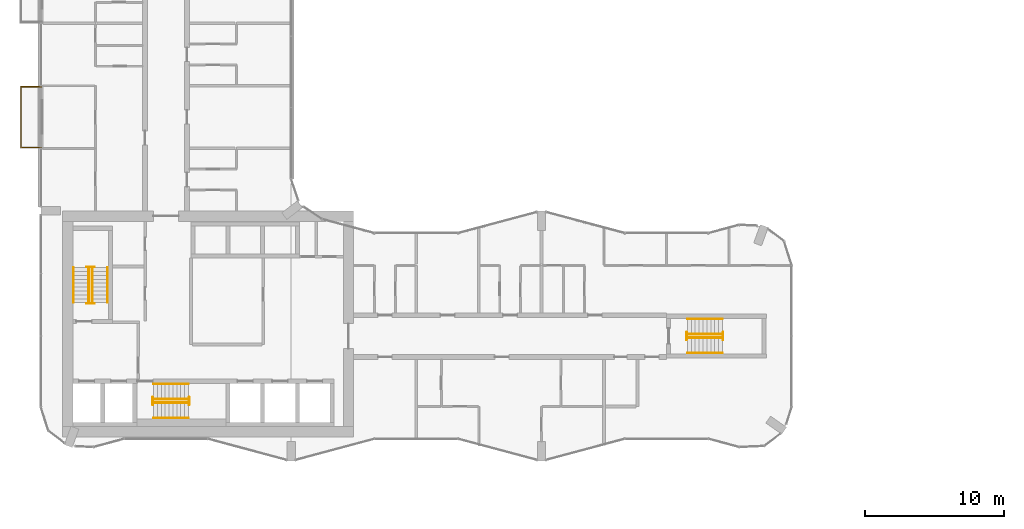
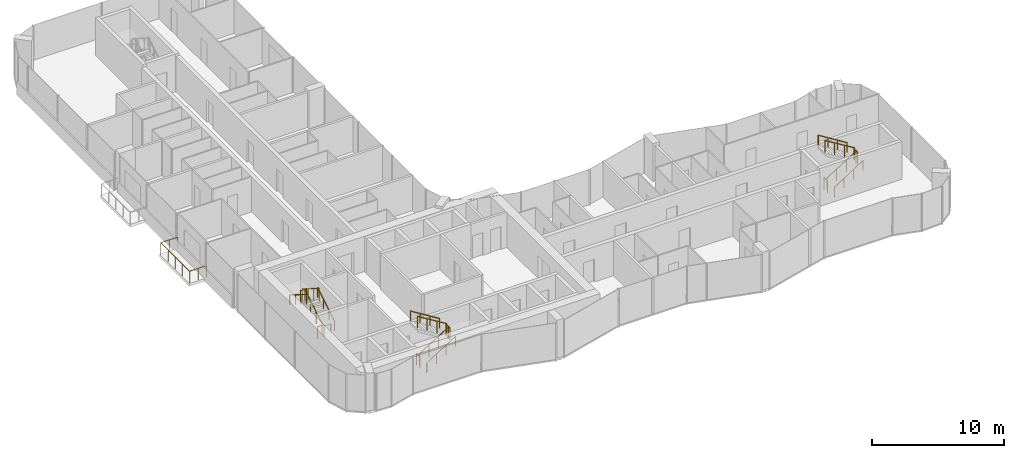
# One storey, part 22 of 24: 19 railings.
"""IFC4 building model written with IfcOpenShell, lengths in metres."""

from ifc_helpers import new_model, si_unit, direction, frame, origin, origin_2d, place, context, subcontext, project, spatial, circle, extrude, material, type_object, element, save


model = new_model("IFC4")

# Units and contexts
model_context = context("Model", 3, precision=1e-05, world=origin(), true_north=direction((0.0, 1.0)))
body_context = subcontext(model_context, "Body", "Model", "MODEL_VIEW")
ifc_project = project(units=[si_unit("LENGTHUNIT", "METRE"), si_unit("AREAUNIT", "SQUARE_METRE"), si_unit("VOLUMEUNIT", "CUBIC_METRE"), si_unit("PLANEANGLEUNIT", "RADIAN"), si_unit("MASSUNIT", "GRAM", prefix="KILO")], contexts=[model_context])

# Site, building, storey
site_placement = place(None, origin())
site = spatial("IfcSite", under=ifc_project, at=site_placement, CompositionType="ELEMENT")
building_placement = place(site_placement, origin())
building = spatial("IfcBuilding", under=site, at=building_placement, Name="Plateau Cross Towers", CompositionType="ELEMENT")
storey_placement = place(building_placement, frame((0.0, 0.0, 47.800048828125)))
storey = spatial("IfcBuildingStorey", under=building, at=storey_placement, Name="L11", CompositionType="ELEMENT", Elevation=47.800048828125)

# Railings
ifc_material_1 = material(Name="Stainless steel and toughened glass", Category="steel")
railing_type_1 = type_object("IfcRailingType", Name="Glass balustrade guard 1100", PredefinedType="GUARDRAIL", material=ifc_material_1)
railing_1_placement = place(storey_placement, frame((0.050048828125, 22.570068359375, 0.0)))
element("IfcRailing", 1, at=railing_1_placement, inside=storey, type_object=railing_type_1, Name="Guard guard1", PredefinedType="GUARDRAIL", context=body_context, shape_type="SweptSolid", body=[
    extrude(circle(Radius=0.02392578125, at=origin_2d()), frame((0.0, 0.0, 1.076171875), z_axis=(-1.0, 0.0, 0.0), x_axis=(0.0, -1.0, 0.0)), (0.0, 0.0, 1.0), 1.47998046875),
    extrude(circle(Radius=0.02392578125, at=origin_2d()), frame((-1.47998046875, 0.0, 1.076171875), z_axis=(0.0, 1.0, 0.0), x_axis=(-1.0, 0.0, 0.0)), (0.0, 0.0, 1.0), 4.35986328125),
    extrude(circle(Radius=0.02392578125, at=origin_2d()), frame((-1.47998046875, 4.35986328125, 1.076171875), z_axis=(1.0, 0.0, 0.0), x_axis=(0.0, 1.0, 0.0)), (0.0, 0.0, 1.0), 1.47998046875),
    extrude(circle(Radius=0.02099609375, at=origin_2d()), origin(), (0.0, 0.0, 1.0), 1.052001953125),
    extrude(circle(Radius=0.02099609375, at=origin_2d()), frame((-0.739990234375, 0.0, 0.0)), (0.0, 0.0, 1.0), 1.052001953125),
    extrude(circle(Radius=0.02099609375, at=origin_2d()), frame((-1.47998046875, 0.0, 0.0)), (0.0, 0.0, 1.0), 1.052001953125),
    extrude(circle(Radius=0.02099609375, at=origin_2d()), frame((-1.47998046875, 1.08984375, 0.0)), (0.0, 0.0, 1.0), 1.052001953125),
    extrude(circle(Radius=0.02099609375, at=origin_2d()), frame((-1.47998046875, 2.179931640625, 0.0)), (0.0, 0.0, 1.0), 1.052001953125),
    extrude(circle(Radius=0.02099609375, at=origin_2d()), frame((-1.47998046875, 3.27001953125, 0.0)), (0.0, 0.0, 1.0), 1.052001953125),
    extrude(circle(Radius=0.02099609375, at=origin_2d()), frame((-1.47998046875, 4.35986328125, 0.0)), (0.0, 0.0, 1.0), 1.052001953125),
    extrude(circle(Radius=0.02099609375, at=origin_2d()), frame((-0.739990234375, 4.35986328125, 0.0)), (0.0, 0.0, 1.0), 1.052001953125),
    extrude(circle(Radius=0.02099609375, at=origin_2d()), frame((0.0, 4.35986328125, 0.0)), (0.0, 0.0, 1.0), 1.052001953125),
])
railing_type_2 = type_object("IfcRailingType", Name="RL-GUARD-1100", PredefinedType="GUARDRAIL", material=ifc_material_1)
railing_2_placement = place(storey_placement, frame((3.699951171875, 11.39990234375, 0.175048828125)))
element("IfcRailing", 2, at=railing_2_placement, inside=storey, type_object=railing_type_2, Name="L11 ST-1 stair guard 1", PredefinedType="GUARDRAIL", context=body_context, shape_type="SweptSolid", body=[
    extrude(circle(Radius=0.02392578125, at=origin_2d()), frame((0.0, 0.0, 1.076171875), z_axis=(0.0, 0.848007534815, 0.529984170421), x_axis=(-1.0, 0.0, 0.0)), (0.0, 0.0, 1.0), 2.9716796875),
    extrude(circle(Radius=0.02099609375, at=origin_2d()), origin(), (0.0, 0.0, 1.0), 1.052001953125),
    extrude(circle(Radius=0.02099609375, at=origin_2d()), frame((0.0, 0.840087890625, 0.52490234375)), (0.0, 0.0, 1.0), 1.052001953125),
    extrude(circle(Radius=0.02099609375, at=origin_2d()), frame((0.0, 1.679931640625, 1.050048828125)), (0.0, 0.0, 1.0), 1.052001953125),
    extrude(circle(Radius=0.02099609375, at=origin_2d()), frame((0.0, 2.52001953125, 1.574951171875)), (0.0, 0.0, 1.0), 1.052001953125),
])
railing_3_placement = place(storey_placement, frame((3.85009765625, 13.969970703125, 1.75)))
element("IfcRailing", 3, at=railing_3_placement, inside=storey, type_object=railing_type_2, Name="L11 ST-1 stair guard 2", PredefinedType="GUARDRAIL", context=body_context, shape_type="SweptSolid", body=[
    extrude(circle(Radius=0.02392578125, at=origin_2d()), frame((0.0, 0.0, 1.076171875), z_axis=(-1.0, 0.0, 0.0), x_axis=(0.0, -1.0, 0.0)), (0.0, 0.0, 1.0), 0.550048828125),
    extrude(circle(Radius=0.02099609375, at=origin_2d()), origin(), (0.0, 0.0, 1.0), 1.052001953125),
    extrude(circle(Radius=0.02099609375, at=origin_2d()), frame((-0.550048828125, 0.0, 0.0)), (0.0, 0.0, 1.0), 1.052001953125),
])
railing_4_placement = place(storey_placement, frame((3.449951171875, 13.919921875, 1.925048828125)))
element("IfcRailing", 4, at=railing_4_placement, inside=storey, type_object=railing_type_2, Name="L11 ST-1 stair guard 3", PredefinedType="GUARDRAIL", context=body_context, shape_type="SweptSolid", body=[
    extrude(circle(Radius=0.02392578125, at=origin_2d()), frame((0.0, 0.0, 1.076171875), z_axis=(0.0, -0.852616386126, 0.522537365276), x_axis=(1.0, 0.0, 0.0)), (0.0, 0.0, 1.0), 3.01416015625),
    extrude(circle(Radius=0.02099609375, at=origin_2d()), origin(), (0.0, 0.0, 1.0), 1.052001953125),
    extrude(circle(Radius=0.02099609375, at=origin_2d()), frame((0.0, -0.856689453125, 0.52490234375)), (0.0, 0.0, 1.0), 1.052001953125),
    extrude(circle(Radius=0.02099609375, at=origin_2d()), frame((0.0, -1.713134765625, 1.050048828125)), (0.0, 0.0, 1.0), 1.052001953125),
    extrude(circle(Radius=0.02099609375, at=origin_2d()), frame((0.0, -2.56982421875, 1.574951171875)), (0.0, 0.0, 1.0), 1.052001953125),
])
railing_5_placement = place(storey_placement, frame((3.85009765625, 11.35009765625, 0.0)))
element("IfcRailing", 5, at=railing_5_placement, inside=storey, type_object=railing_type_2, Name="L11 ST-1 stair guard 4", PredefinedType="GUARDRAIL", context=body_context, shape_type="SweptSolid", body=[
    extrude(circle(Radius=0.02392578125, at=origin_2d()), frame((0.0, 0.0, 1.076171875), z_axis=(-1.0, 0.0, 0.0), x_axis=(0.0, -1.0, 0.0)), (0.0, 0.0, 1.0), 0.550048828125),
    extrude(circle(Radius=0.02099609375, at=origin_2d()), origin(), (0.0, 0.0, 1.0), 1.052001953125),
    extrude(circle(Radius=0.02099609375, at=origin_2d()), frame((-0.550048828125, 0.0, 0.0)), (0.0, 0.0, 1.0), 1.052001953125),
])
railing_6_placement = place(storey_placement, frame((8.10009765625, 4.199951171875, 0.175048828125)))
element("IfcRailing", 6, at=railing_6_placement, inside=storey, type_object=railing_type_2, Name="L11 ST-2 stair guard 1", PredefinedType="GUARDRAIL", context=body_context, shape_type="SweptSolid", body=[
    extrude(circle(Radius=0.02392578125, at=origin_2d()), frame((0.0, 0.0, 1.076171875), z_axis=(0.848007534815, 0.0, 0.529984170421), x_axis=(0.0, 1.0, 0.0)), (0.0, 0.0, 1.0), 2.9716796875),
    extrude(circle(Radius=0.02099609375, at=origin_2d()), origin(), (0.0, 0.0, 1.0), 1.052001953125),
    extrude(circle(Radius=0.02099609375, at=origin_2d()), frame((0.840087890625, 0.0, 0.52490234375)), (0.0, 0.0, 1.0), 1.052001953125),
    extrude(circle(Radius=0.02099609375, at=origin_2d()), frame((1.679931640625, 0.0, 1.050048828125)), (0.0, 0.0, 1.0), 1.052001953125),
    extrude(circle(Radius=0.02099609375, at=origin_2d()), frame((2.52001953125, 0.0, 1.574951171875)), (0.0, 0.0, 1.0), 1.052001953125),
])
railing_7_placement = place(storey_placement, frame((10.669921875, 4.050048828125, 1.75)))
element("IfcRailing", 7, at=railing_7_placement, inside=storey, type_object=railing_type_2, Name="L11 ST-2 stair guard 2", PredefinedType="GUARDRAIL", context=body_context, shape_type="SweptSolid", body=[
    extrude(circle(Radius=0.02392578125, at=origin_2d()), frame((0.0, 0.0, 1.076171875), z_axis=(0.0, 1.0, 0.0), x_axis=(-1.0, 0.0, 0.0)), (0.0, 0.0, 1.0), 0.550048828125),
    extrude(circle(Radius=0.02099609375, at=origin_2d()), origin(), (0.0, 0.0, 1.0), 1.052001953125),
    extrude(circle(Radius=0.02099609375, at=origin_2d()), frame((0.0, 0.550048828125, 0.0)), (0.0, 0.0, 1.0), 1.052001953125),
])
railing_8_placement = place(storey_placement, frame((10.6201171875, 4.449951171875, 1.925048828125)))
element("IfcRailing", 8, at=railing_8_placement, inside=storey, type_object=railing_type_2, Name="L11 ST-2 stair guard 3", PredefinedType="GUARDRAIL", context=body_context, shape_type="SweptSolid", body=[
    extrude(circle(Radius=0.02392578125, at=origin_2d()), frame((0.0, 0.0, 1.076171875), z_axis=(-0.852638500773, 0.0, 0.522501279423), x_axis=(0.0, -1.0, 0.0)), (0.0, 0.0, 1.0), 3.01416015625),
    extrude(circle(Radius=0.02099609375, at=origin_2d()), origin(), (0.0, 0.0, 1.0), 1.052001953125),
    extrude(circle(Radius=0.02099609375, at=origin_2d()), frame((-0.856689453125, 0.0, 0.52490234375)), (0.0, 0.0, 1.0), 1.052001953125),
    extrude(circle(Radius=0.02099609375, at=origin_2d()), frame((-1.71337890625, 0.0, 1.050048828125)), (0.0, 0.0, 1.0), 1.052001953125),
    extrude(circle(Radius=0.02099609375, at=origin_2d()), frame((-2.570068359375, 0.0, 1.574951171875)), (0.0, 0.0, 1.0), 1.052001953125),
])
railing_9_placement = place(storey_placement, frame((8.050048828125, 4.050048828125, 0.0)))
element("IfcRailing", 9, at=railing_9_placement, inside=storey, type_object=railing_type_2, Name="L11 ST-2 stair guard 4", PredefinedType="GUARDRAIL", context=body_context, shape_type="SweptSolid", body=[
    extrude(circle(Radius=0.02392578125, at=origin_2d()), frame((0.0, 0.0, 1.076171875), z_axis=(0.0, 1.0, 0.0), x_axis=(-1.0, 0.0, 0.0)), (0.0, 0.0, 1.0), 0.550048828125),
    extrude(circle(Radius=0.02099609375, at=origin_2d()), origin(), (0.0, 0.0, 1.0), 1.052001953125),
    extrude(circle(Radius=0.02099609375, at=origin_2d()), frame((0.0, 0.550048828125, 0.0)), (0.0, 0.0, 1.0), 1.052001953125),
])
railing_10_placement = place(storey_placement, frame((46.5, 8.875, 0.175048828125)))
element("IfcRailing", 10, at=railing_10_placement, inside=storey, type_object=railing_type_2, Name="L11 ES-E stair guard 1", PredefinedType="GUARDRAIL", context=body_context, shape_type="SweptSolid", body=[
    extrude(circle(Radius=0.02392578125, at=origin_2d()), frame((0.0, 0.0, 1.076171875), z_axis=(0.848007534815, 0.0, 0.529984170421), x_axis=(0.0, 1.0, 0.0)), (0.0, 0.0, 1.0), 2.9716796875),
    extrude(circle(Radius=0.02099609375, at=origin_2d()), origin(), (0.0, 0.0, 1.0), 1.052001953125),
    extrude(circle(Radius=0.02099609375, at=origin_2d()), frame((0.840087890625, 0.0, 0.52490234375)), (0.0, 0.0, 1.0), 1.052001953125),
    extrude(circle(Radius=0.02099609375, at=origin_2d()), frame((1.679931640625, 0.0, 1.050048828125)), (0.0, 0.0, 1.0), 1.052001953125),
    extrude(circle(Radius=0.02099609375, at=origin_2d()), frame((2.52001953125, 0.0, 1.574951171875)), (0.0, 0.0, 1.0), 1.052001953125),
])
railing_11_placement = place(storey_placement, frame((49.070068359375, 8.72509765625, 1.75)))
element("IfcRailing", 11, at=railing_11_placement, inside=storey, type_object=railing_type_2, Name="L11 ES-E stair guard 2", PredefinedType="GUARDRAIL", context=body_context, shape_type="SweptSolid", body=[
    extrude(circle(Radius=0.02392578125, at=origin_2d()), frame((0.0, 0.0, 1.076171875), z_axis=(0.0, 1.0, 0.0), x_axis=(-1.0, 0.0, 0.0)), (0.0, 0.0, 1.0), 0.5498046875),
    extrude(circle(Radius=0.02099609375, at=origin_2d()), origin(), (0.0, 0.0, 1.0), 1.052001953125),
    extrude(circle(Radius=0.02099609375, at=origin_2d()), frame((0.0, 0.5498046875, 0.0)), (0.0, 0.0, 1.0), 1.052001953125),
])
railing_12_placement = place(storey_placement, frame((49.02001953125, 9.125, 1.925048828125)))
element("IfcRailing", 12, at=railing_12_placement, inside=storey, type_object=railing_type_2, Name="L11 ES-E stair guard 3", PredefinedType="GUARDRAIL", context=body_context, shape_type="SweptSolid", body=[
    extrude(circle(Radius=0.02392578125, at=origin_2d()), frame((0.0, 0.0, 1.076171875), z_axis=(-0.852638500773, 0.0, 0.522501279423), x_axis=(0.0, -1.0, 0.0)), (0.0, 0.0, 1.0), 3.01416015625),
    extrude(circle(Radius=0.02099609375, at=origin_2d()), origin(), (0.0, 0.0, 1.0), 1.052001953125),
    extrude(circle(Radius=0.02099609375, at=origin_2d()), frame((-0.856689453125, 0.0, 0.52490234375)), (0.0, 0.0, 1.0), 1.052001953125),
    extrude(circle(Radius=0.02099609375, at=origin_2d()), frame((-1.71337890625, 0.0, 1.050048828125)), (0.0, 0.0, 1.0), 1.052001953125),
    extrude(circle(Radius=0.02099609375, at=origin_2d()), frame((-2.570068359375, 0.0, 1.574951171875)), (0.0, 0.0, 1.0), 1.052001953125),
])
railing_13_placement = place(storey_placement, frame((46.449951171875, 8.72509765625, 0.0)))
element("IfcRailing", 13, at=railing_13_placement, inside=storey, type_object=railing_type_2, Name="L11 ES-E stair guard 4", PredefinedType="GUARDRAIL", context=body_context, shape_type="SweptSolid", body=[
    extrude(circle(Radius=0.02392578125, at=origin_2d()), frame((0.0, 0.0, 1.076171875), z_axis=(0.0, 1.0, 0.0), x_axis=(-1.0, 0.0, 0.0)), (0.0, 0.0, 1.0), 0.5498046875),
    extrude(circle(Radius=0.02099609375, at=origin_2d()), origin(), (0.0, 0.0, 1.0), 1.052001953125),
    extrude(circle(Radius=0.02099609375, at=origin_2d()), frame((0.0, 0.5498046875, 0.0)), (0.0, 0.0, 1.0), 1.052001953125),
])
ifc_material_2 = material(Name="Black anodised aluminium", Category="aluminium")
railing_type_3 = type_object("IfcRailingType", Name="RL-HANDRAIL-900", PredefinedType="HANDRAIL", material=ifc_material_2)
railing_14_placement = place(storey_placement, frame((4.800048828125, 11.39990234375, 0.175048828125)))
element("IfcRailing", 14, at=railing_14_placement, inside=storey, type_object=railing_type_3, Name="L11 ST-1 stair handrail 1", PredefinedType="HANDRAIL", context=body_context, shape_type="SweptSolid", body=[
    extrude(circle(Radius=0.02392578125, at=origin_2d()), frame((0.0, 0.0, 0.8759765625), z_axis=(0.0, 0.848007534815, 0.529984170421), x_axis=(-1.0, 0.0, 0.0)), (0.0, 0.0, 1.0), 2.9716796875),
    extrude(circle(Radius=0.02099609375, at=origin_2d()), origin(), (0.0, 0.0, 1.0), 0.851806640625),
    extrude(circle(Radius=0.02099609375, at=origin_2d()), frame((0.0, 0.840087890625, 0.52490234375)), (0.0, 0.0, 1.0), 0.851806640625),
    extrude(circle(Radius=0.02099609375, at=origin_2d()), frame((0.0, 1.679931640625, 1.050048828125)), (0.0, 0.0, 1.0), 0.851806640625),
    extrude(circle(Radius=0.02099609375, at=origin_2d()), frame((0.0, 2.52001953125, 1.574951171875)), (0.0, 0.0, 1.0), 0.851806640625),
])
railing_15_placement = place(storey_placement, frame((2.35009765625, 13.919921875, 1.925048828125)))
element("IfcRailing", 15, at=railing_15_placement, inside=storey, type_object=railing_type_3, Name="L11 ST-1 stair handrail 2", PredefinedType="HANDRAIL", context=body_context, shape_type="SweptSolid", body=[
    extrude(circle(Radius=0.02392578125, at=origin_2d()), frame((0.0, 0.0, 0.8759765625), z_axis=(0.0, -0.848007534815, 0.529984170421), x_axis=(1.0, 0.0, 0.0)), (0.0, 0.0, 1.0), 2.9716796875),
    extrude(circle(Radius=0.02099609375, at=origin_2d()), origin(), (0.0, 0.0, 1.0), 0.851806640625),
    extrude(circle(Radius=0.02099609375, at=origin_2d()), frame((0.0, -0.840087890625, 0.52490234375)), (0.0, 0.0, 1.0), 0.851806640625),
    extrude(circle(Radius=0.02099609375, at=origin_2d()), frame((0.0, -1.679931640625, 1.050048828125)), (0.0, 0.0, 1.0), 0.851806640625),
    extrude(circle(Radius=0.02099609375, at=origin_2d()), frame((0.0, -2.52001953125, 1.574951171875)), (0.0, 0.0, 1.0), 0.851806640625),
])
railing_16_placement = place(storey_placement, frame((8.10009765625, 3.10009765625, 0.175048828125)))
element("IfcRailing", 16, at=railing_16_placement, inside=storey, type_object=railing_type_3, Name="L11 ST-2 stair handrail 1", PredefinedType="HANDRAIL", context=body_context, shape_type="SweptSolid", body=[
    extrude(circle(Radius=0.02392578125, at=origin_2d()), frame((0.0, 0.0, 0.8759765625), z_axis=(0.848007534815, 0.0, 0.529984170421), x_axis=(0.0, 1.0, 0.0)), (0.0, 0.0, 1.0), 2.9716796875),
    extrude(circle(Radius=0.02099609375, at=origin_2d()), origin(), (0.0, 0.0, 1.0), 0.851806640625),
    extrude(circle(Radius=0.02099609375, at=origin_2d()), frame((0.840087890625, 0.0, 0.52490234375)), (0.0, 0.0, 1.0), 0.851806640625),
    extrude(circle(Radius=0.02099609375, at=origin_2d()), frame((1.679931640625, 0.0, 1.050048828125)), (0.0, 0.0, 1.0), 0.851806640625),
    extrude(circle(Radius=0.02099609375, at=origin_2d()), frame((2.52001953125, 0.0, 1.574951171875)), (0.0, 0.0, 1.0), 0.851806640625),
])
railing_17_placement = place(storey_placement, frame((10.6201171875, 5.550048828125, 1.925048828125)))
element("IfcRailing", 17, at=railing_17_placement, inside=storey, type_object=railing_type_3, Name="L11 ST-2 stair handrail 2", PredefinedType="HANDRAIL", context=body_context, shape_type="SweptSolid", body=[
    extrude(circle(Radius=0.02392578125, at=origin_2d()), frame((0.0, 0.0, 0.8759765625), z_axis=(-0.848007534815, 0.0, 0.529984170421), x_axis=(0.0, -1.0, 0.0)), (0.0, 0.0, 1.0), 2.9716796875),
    extrude(circle(Radius=0.02099609375, at=origin_2d()), origin(), (0.0, 0.0, 1.0), 0.851806640625),
    extrude(circle(Radius=0.02099609375, at=origin_2d()), frame((-0.840087890625, 0.0, 0.52490234375)), (0.0, 0.0, 1.0), 0.851806640625),
    extrude(circle(Radius=0.02099609375, at=origin_2d()), frame((-1.679931640625, 0.0, 1.050048828125)), (0.0, 0.0, 1.0), 0.851806640625),
    extrude(circle(Radius=0.02099609375, at=origin_2d()), frame((-2.52001953125, 0.0, 1.574951171875)), (0.0, 0.0, 1.0), 0.851806640625),
])
railing_18_placement = place(storey_placement, frame((46.5, 7.77490234375, 0.175048828125)))
element("IfcRailing", 18, at=railing_18_placement, inside=storey, type_object=railing_type_3, Name="L11 ES-E stair handrail 1", PredefinedType="HANDRAIL", context=body_context, shape_type="SweptSolid", body=[
    extrude(circle(Radius=0.02392578125, at=origin_2d()), frame((0.0, 0.0, 0.8759765625), z_axis=(0.848007534815, 0.0, 0.529984170421), x_axis=(0.0, 1.0, 0.0)), (0.0, 0.0, 1.0), 2.9716796875),
    extrude(circle(Radius=0.02099609375, at=origin_2d()), origin(), (0.0, 0.0, 1.0), 0.851806640625),
    extrude(circle(Radius=0.02099609375, at=origin_2d()), frame((0.840087890625, 0.0, 0.52490234375)), (0.0, 0.0, 1.0), 0.851806640625),
    extrude(circle(Radius=0.02099609375, at=origin_2d()), frame((1.679931640625, 0.0, 1.050048828125)), (0.0, 0.0, 1.0), 0.851806640625),
    extrude(circle(Radius=0.02099609375, at=origin_2d()), frame((2.52001953125, 0.0, 1.574951171875)), (0.0, 0.0, 1.0), 0.851806640625),
])
railing_19_placement = place(storey_placement, frame((49.02001953125, 10.22509765625, 1.925048828125)))
element("IfcRailing", 19, at=railing_19_placement, inside=storey, type_object=railing_type_3, Name="L11 ES-E stair handrail 2", PredefinedType="HANDRAIL", context=body_context, shape_type="SweptSolid", body=[
    extrude(circle(Radius=0.02392578125, at=origin_2d()), frame((0.0, 0.0, 0.8759765625), z_axis=(-0.848007534815, 0.0, 0.529984170421), x_axis=(0.0, -1.0, 0.0)), (0.0, 0.0, 1.0), 2.9716796875),
    extrude(circle(Radius=0.02099609375, at=origin_2d()), origin(), (0.0, 0.0, 1.0), 0.851806640625),
    extrude(circle(Radius=0.02099609375, at=origin_2d()), frame((-0.840087890625, 0.0, 0.52490234375)), (0.0, 0.0, 1.0), 0.851806640625),
    extrude(circle(Radius=0.02099609375, at=origin_2d()), frame((-1.679931640625, 0.0, 1.050048828125)), (0.0, 0.0, 1.0), 0.851806640625),
    extrude(circle(Radius=0.02099609375, at=origin_2d()), frame((-2.52001953125, 0.0, 1.574951171875)), (0.0, 0.0, 1.0), 0.851806640625),
])

save(model, "model.ifc")
